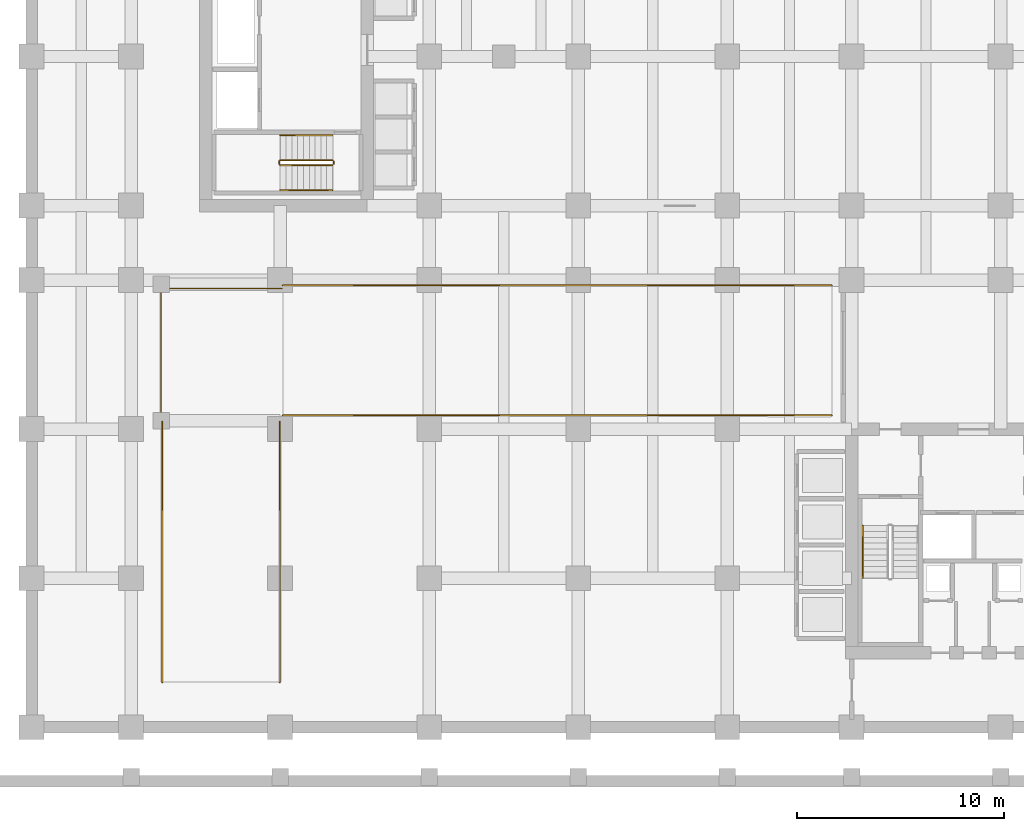
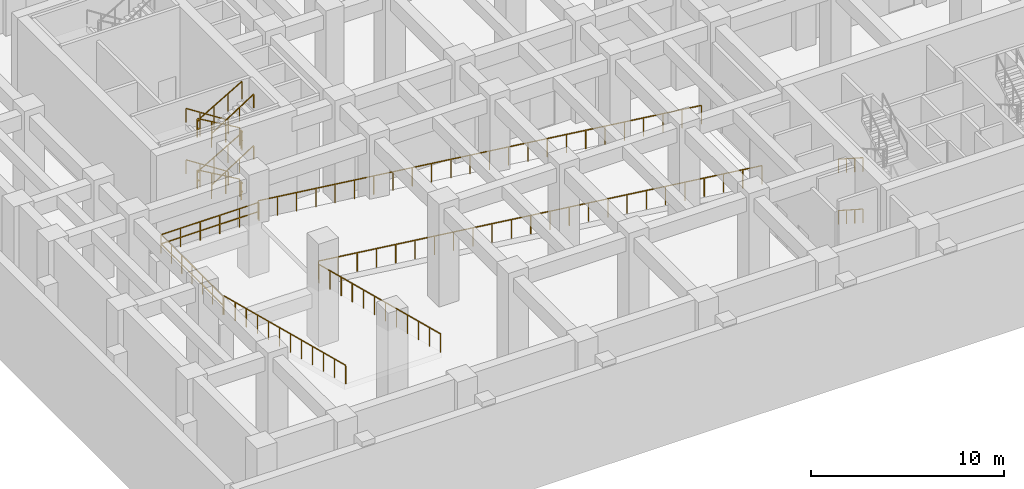
# One storey, part 10 of 13: 19 railings.
"""IFC4 building model written with IfcOpenShell, lengths in metres."""

from ifc_helpers import new_model, si_unit, derived_unit, direction, frame, origin, origin_2d, place, context, subcontext, project, spatial, rectangle, extrude, material, type_object, element, save


model = new_model("IFC4")

# Units and contexts
model_context = context("Model", 3, precision=1e-05, world=origin(), true_north=direction((0.0, 1.0)))
body_context = subcontext(model_context, "Body", "Model", "MODEL_VIEW")
ifc_project = project(units=[si_unit("LENGTHUNIT", "METRE"), si_unit("AREAUNIT", "SQUARE_METRE"), si_unit("VOLUMEUNIT", "CUBIC_METRE"), si_unit("PLANEANGLEUNIT", "RADIAN"), si_unit("MASSUNIT", "GRAM", prefix="KILO"), si_unit("THERMODYNAMICTEMPERATUREUNIT", "KELVIN"), si_unit("POWERUNIT", "WATT"), derived_unit("THERMALTRANSMITTANCEUNIT", [(si_unit("POWERUNIT", "WATT"), 1), (si_unit("AREAUNIT", "SQUARE_METRE"), -1), (si_unit("THERMODYNAMICTEMPERATUREUNIT", "KELVIN"), -1)])], contexts=[model_context])

# Site, building, storey
site_placement = place(None, origin())
site = spatial("IfcSite", under=ifc_project, at=site_placement, CompositionType="ELEMENT")
building_placement = place(site_placement, origin())
building = spatial("IfcBuilding", under=site, at=building_placement, Name="Zahravan Archway Hotel and Residences", CompositionType="ELEMENT")
storey_placement = place(building_placement, frame((0.0, 0.0, -6.5)))
storey = spatial("IfcBuildingStorey", under=building, at=storey_placement, Name="B01", CompositionType="ELEMENT", Elevation=-6.5)

# Railings
ifc_material_1 = material(Name="Painted Tubular Steel", Category="steel")
railing_type_1 = type_object("IfcRailingType", Name="RL-STG-1150", PredefinedType="GUARDRAIL", material=ifc_material_1)
railing_1_placement = place(storey_placement, frame((9.72998046875, 27.389892578125, 0.16259765625)))
element("IfcRailing", 1, at=railing_1_placement, inside=storey, type_object=railing_type_1, Name="B01 ST-B1 stair guard 1", PredefinedType="GUARDRAIL", context=body_context, shape_type="SweptSolid", body=[
    extrude(rectangle(XDim=0.048095703125, YDim=0.048095703125, at=origin_2d()), frame((0.0, 0.0, 1.1259765625), z_axis=(-0.864913338283, 0.0, 0.50192122615), x_axis=(0.0, -1.0, 0.0)), (0.0, 0.0, 1.0), 2.91357421875),
    extrude(rectangle(XDim=0.0419921875, YDim=0.0419921875, at=origin_2d()), origin(), (0.0, 0.0, 1.0), 1.101806640625),
    extrude(rectangle(XDim=0.0419921875, YDim=0.0419921875, at=origin_2d()), frame((-0.840087890625, 0.0, 0.487548828125)), (0.0, 0.0, 1.0), 1.101806640625),
    extrude(rectangle(XDim=0.0419921875, YDim=0.0419921875, at=origin_2d()), frame((-1.679931640625, 0.0, 0.974853515625)), (0.0, 0.0, 1.0), 1.101806640625),
    extrude(rectangle(XDim=0.0419921875, YDim=0.0419921875, at=origin_2d()), frame((-2.52001953125, 0.0, 1.46240234375)), (0.0, 0.0, 1.0), 1.101806640625),
])
railing_2_placement = place(storey_placement, frame((7.159912109375, 27.340087890625, 1.625)))
element("IfcRailing", 2, at=railing_2_placement, inside=storey, type_object=railing_type_1, Name="B01 ST-B1 stair guard 2", PredefinedType="GUARDRAIL", context=body_context, shape_type="SweptSolid", body=[
    extrude(rectangle(XDim=0.048095703125, YDim=0.048095703125, at=origin_2d()), frame((0.0, 0.0, 1.1259765625), z_axis=(0.0, -1.0, 0.0), x_axis=(1.0, 0.0, 0.0)), (0.0, 0.0, 1.0), 0.14013671875),
    extrude(rectangle(XDim=0.048095703125, YDim=0.048095703125, at=origin_2d()), frame((0.0, 0.0, 0.574951171875), z_axis=(0.0, -1.0, 0.0), x_axis=(1.0, 0.0, 0.0)), (0.0, 0.0, 1.0), 0.14013671875),
    extrude(rectangle(XDim=0.0419921875, YDim=0.0419921875, at=origin_2d()), origin(), (0.0, 0.0, 1.0), 1.101806640625),
])
railing_3_placement = place(storey_placement, frame((7.2099609375, 27.14990234375, 1.78759765625)))
element("IfcRailing", 3, at=railing_3_placement, inside=storey, type_object=railing_type_1, Name="B01 ST-B1 stair guard 3", PredefinedType="GUARDRAIL", context=body_context, shape_type="SweptSolid", body=[
    extrude(rectangle(XDim=0.048095703125, YDim=0.048095703125, at=origin_2d()), frame((0.0, 0.0, 1.1259765625), z_axis=(0.864913338283, 0.0, 0.50192122615), x_axis=(0.0, 1.0, 0.0)), (0.0, 0.0, 1.0), 2.91357421875),
    extrude(rectangle(XDim=0.0419921875, YDim=0.0419921875, at=origin_2d()), origin(), (0.0, 0.0, 1.0), 1.101806640625),
    extrude(rectangle(XDim=0.0419921875, YDim=0.0419921875, at=origin_2d()), frame((0.840087890625, 0.0, 0.487548828125)), (0.0, 0.0, 1.0), 1.101806640625),
    extrude(rectangle(XDim=0.0419921875, YDim=0.0419921875, at=origin_2d()), frame((1.679931640625, 0.0, 0.974853515625)), (0.0, 0.0, 1.0), 1.101806640625),
    extrude(rectangle(XDim=0.0419921875, YDim=0.0419921875, at=origin_2d()), frame((2.52001953125, 0.0, 1.46240234375)), (0.0, 0.0, 1.0), 1.101806640625),
])
railing_4_placement = place(storey_placement, frame((9.780029296875, 27.340087890625, 3.25)))
element("IfcRailing", 4, at=railing_4_placement, inside=storey, type_object=railing_type_1, Name="B01 ST-B1 stair guard 4", PredefinedType="GUARDRAIL", context=body_context, shape_type="SweptSolid", body=[
    extrude(rectangle(XDim=0.048095703125, YDim=0.048095703125, at=origin_2d()), frame((0.0, 0.0, 1.1259765625), z_axis=(0.0, -1.0, 0.0), x_axis=(1.0, 0.0, 0.0)), (0.0, 0.0, 1.0), 0.14013671875),
    extrude(rectangle(XDim=0.048095703125, YDim=0.048095703125, at=origin_2d()), frame((0.0, 0.0, 0.574951171875), z_axis=(0.0, -1.0, 0.0), x_axis=(1.0, 0.0, 0.0)), (0.0, 0.0, 1.0), 0.14013671875),
    extrude(rectangle(XDim=0.0419921875, YDim=0.0419921875, at=origin_2d()), origin(), (0.0, 0.0, 1.0), 1.101806640625),
])
railing_5_placement = place(storey_placement, frame((9.72998046875, 27.389892578125, 3.41259765625)))
element("IfcRailing", 5, at=railing_5_placement, inside=storey, type_object=railing_type_1, Name="B01 ST-B1 stair guard 5", PredefinedType="GUARDRAIL", context=body_context, shape_type="SweptSolid", body=[
    extrude(rectangle(XDim=0.048095703125, YDim=0.048095703125, at=origin_2d()), frame((0.0, 0.0, 1.1259765625), z_axis=(-0.864913338283, 0.0, 0.50192122615), x_axis=(0.0, -1.0, 0.0)), (0.0, 0.0, 1.0), 2.91357421875),
    extrude(rectangle(XDim=0.0419921875, YDim=0.0419921875, at=origin_2d()), origin(), (0.0, 0.0, 1.0), 1.101806640625),
    extrude(rectangle(XDim=0.0419921875, YDim=0.0419921875, at=origin_2d()), frame((-0.840087890625, 0.0, 0.487548828125)), (0.0, 0.0, 1.0), 1.101806640625),
    extrude(rectangle(XDim=0.0419921875, YDim=0.0419921875, at=origin_2d()), frame((-1.679931640625, 0.0, 0.974853515625)), (0.0, 0.0, 1.0), 1.101806640625),
    extrude(rectangle(XDim=0.0419921875, YDim=0.0419921875, at=origin_2d()), frame((-2.52001953125, 0.0, 1.46240234375)), (0.0, 0.0, 1.0), 1.101806640625),
])
railing_6_placement = place(storey_placement, frame((7.159912109375, 27.340087890625, 4.875)))
element("IfcRailing", 6, at=railing_6_placement, inside=storey, type_object=railing_type_1, Name="B01 ST-B1 stair guard 6", PredefinedType="GUARDRAIL", context=body_context, shape_type="SweptSolid", body=[
    extrude(rectangle(XDim=0.048095703125, YDim=0.048095703125, at=origin_2d()), frame((0.0, 0.0, 1.1259765625), z_axis=(0.0, -1.0, 0.0), x_axis=(1.0, 0.0, 0.0)), (0.0, 0.0, 1.0), 0.14013671875),
    extrude(rectangle(XDim=0.048095703125, YDim=0.048095703125, at=origin_2d()), frame((0.0, 0.0, 0.574951171875), z_axis=(0.0, -1.0, 0.0), x_axis=(1.0, 0.0, 0.0)), (0.0, 0.0, 1.0), 0.14013671875),
    extrude(rectangle(XDim=0.0419921875, YDim=0.0419921875, at=origin_2d()), origin(), (0.0, 0.0, 1.0), 1.101806640625),
])
railing_7_placement = place(storey_placement, frame((7.2099609375, 27.14990234375, 5.03759765625)))
element("IfcRailing", 7, at=railing_7_placement, inside=storey, type_object=railing_type_1, Name="B01 ST-B1 stair guard 7", PredefinedType="GUARDRAIL", context=body_context, shape_type="SweptSolid", body=[
    extrude(rectangle(XDim=0.048095703125, YDim=0.048095703125, at=origin_2d()), frame((0.0, 0.0, 1.1259765625), z_axis=(0.864913338283, 0.0, 0.50192122615), x_axis=(0.0, 1.0, 0.0)), (0.0, 0.0, 1.0), 2.91357421875),
    extrude(rectangle(XDim=0.0419921875, YDim=0.0419921875, at=origin_2d()), origin(), (0.0, 0.0, 1.0), 1.101806640625),
    extrude(rectangle(XDim=0.0419921875, YDim=0.0419921875, at=origin_2d()), frame((0.840087890625, 0.0, 0.487548828125)), (0.0, 0.0, 1.0), 1.101806640625),
    extrude(rectangle(XDim=0.0419921875, YDim=0.0419921875, at=origin_2d()), frame((1.679931640625, 0.0, 0.974853515625)), (0.0, 0.0, 1.0), 1.101806640625),
    extrude(rectangle(XDim=0.0419921875, YDim=0.0419921875, at=origin_2d()), frame((2.52001953125, 0.0, 1.46240234375)), (0.0, 0.0, 1.0), 1.101806640625),
])
railing_8_placement = place(storey_placement, frame((9.780029296875, 27.340087890625, 0.0)))
element("IfcRailing", 8, at=railing_8_placement, inside=storey, type_object=railing_type_1, Name="B01 ST-B1 stair guard 8", PredefinedType="GUARDRAIL", context=body_context, shape_type="SweptSolid", body=[
    extrude(rectangle(XDim=0.048095703125, YDim=0.048095703125, at=origin_2d()), frame((0.0, 0.0, 1.1259765625), z_axis=(0.0, -1.0, 0.0), x_axis=(1.0, 0.0, 0.0)), (0.0, 0.0, 1.0), 0.14013671875),
    extrude(rectangle(XDim=0.048095703125, YDim=0.048095703125, at=origin_2d()), frame((0.0, 0.0, 0.574951171875), z_axis=(0.0, -1.0, 0.0), x_axis=(1.0, 0.0, 0.0)), (0.0, 0.0, 1.0), 0.14013671875),
    extrude(rectangle(XDim=0.0419921875, YDim=0.0419921875, at=origin_2d()), origin(), (0.0, 0.0, 1.0), 1.101806640625),
])
ifc_material_2 = material(Name="Brushed Stainless Steel", Category="steel")
railing_type_2 = type_object("IfcRailingType", Name="RL-STH-900", PredefinedType="HANDRAIL", material=ifc_material_2)
for number, where, name in (
    (9, (35.35009765625, 9.72998046875, 0.16259765625), "B01 ST-A1 stair handrail 1"),
    (10, (35.35009765625, 9.72998046875, 3.41259765625), "B01 ST-A1 stair handrail 3"),
):
    element("IfcRailing", number, at=place(storey_placement, frame(where)), inside=storey, type_object=railing_type_2, Name=name, PredefinedType="HANDRAIL", context=body_context, shape_type="SweptSolid", body=[
        extrude(rectangle(XDim=0.048095703125, YDim=0.048095703125, at=origin_2d()), frame((0.0, 0.0, 0.8759765625), z_axis=(0.0, -0.840421059866, 0.541933983188), x_axis=(1.0, 0.0, 0.0)), (0.0, 0.0, 1.0), 2.99853515625),
        extrude(rectangle(XDim=0.0419921875, YDim=0.0419921875, at=origin_2d()), origin(), (0.0, 0.0, 1.0), 0.851806640625),
        extrude(rectangle(XDim=0.0419921875, YDim=0.0419921875, at=origin_2d()), frame((0.0, -0.840087890625, 0.541748046875)), (0.0, 0.0, 1.0), 0.851806640625),
        extrude(rectangle(XDim=0.0419921875, YDim=0.0419921875, at=origin_2d()), frame((0.0, -1.679931640625, 1.083251953125)), (0.0, 0.0, 1.0), 0.851806640625),
        extrude(rectangle(XDim=0.0419921875, YDim=0.0419921875, at=origin_2d()), frame((0.0, -2.52001953125, 1.625)), (0.0, 0.0, 1.0), 0.851806640625),
    ])
railing_9_placement = place(storey_placement, frame((9.72998046875, 28.590087890625, 0.16259765625)))
element("IfcRailing", 11, at=railing_9_placement, inside=storey, type_object=railing_type_2, Name="B01 ST-B1 stair handrail 1", PredefinedType="HANDRAIL", context=body_context, shape_type="SweptSolid", body=[
    extrude(rectangle(XDim=0.048095703125, YDim=0.048095703125, at=origin_2d()), frame((0.0, 0.0, 0.8759765625), z_axis=(-0.840421059866, 0.0, 0.541933983188), x_axis=(0.0, -1.0, 0.0)), (0.0, 0.0, 1.0), 2.99853515625),
    extrude(rectangle(XDim=0.0419921875, YDim=0.0419921875, at=origin_2d()), origin(), (0.0, 0.0, 1.0), 0.851806640625),
    extrude(rectangle(XDim=0.0419921875, YDim=0.0419921875, at=origin_2d()), frame((-0.840087890625, 0.0, 0.541748046875)), (0.0, 0.0, 1.0), 0.851806640625),
    extrude(rectangle(XDim=0.0419921875, YDim=0.0419921875, at=origin_2d()), frame((-1.679931640625, 0.0, 1.083251953125)), (0.0, 0.0, 1.0), 0.851806640625),
    extrude(rectangle(XDim=0.0419921875, YDim=0.0419921875, at=origin_2d()), frame((-2.52001953125, 0.0, 1.625)), (0.0, 0.0, 1.0), 0.851806640625),
])
railing_10_placement = place(storey_placement, frame((7.2099609375, 25.949951171875, 1.78759765625)))
element("IfcRailing", 12, at=railing_10_placement, inside=storey, type_object=railing_type_2, Name="B01 ST-B1 stair handrail 2", PredefinedType="HANDRAIL", context=body_context, shape_type="SweptSolid", body=[
    extrude(rectangle(XDim=0.048095703125, YDim=0.048095703125, at=origin_2d()), frame((0.0, 0.0, 0.8759765625), z_axis=(0.840421059866, 0.0, 0.541933983188), x_axis=(0.0, 1.0, 0.0)), (0.0, 0.0, 1.0), 2.99853515625),
    extrude(rectangle(XDim=0.0419921875, YDim=0.0419921875, at=origin_2d()), origin(), (0.0, 0.0, 1.0), 0.851806640625),
    extrude(rectangle(XDim=0.0419921875, YDim=0.0419921875, at=origin_2d()), frame((0.840087890625, 0.0, 0.541748046875)), (0.0, 0.0, 1.0), 0.851806640625),
    extrude(rectangle(XDim=0.0419921875, YDim=0.0419921875, at=origin_2d()), frame((1.679931640625, 0.0, 1.083251953125)), (0.0, 0.0, 1.0), 0.851806640625),
    extrude(rectangle(XDim=0.0419921875, YDim=0.0419921875, at=origin_2d()), frame((2.52001953125, 0.0, 1.625)), (0.0, 0.0, 1.0), 0.851806640625),
])
railing_11_placement = place(storey_placement, frame((9.72998046875, 28.590087890625, 3.41259765625)))
element("IfcRailing", 13, at=railing_11_placement, inside=storey, type_object=railing_type_2, Name="B01 ST-B1 stair handrail 3", PredefinedType="HANDRAIL", context=body_context, shape_type="SweptSolid", body=[
    extrude(rectangle(XDim=0.048095703125, YDim=0.048095703125, at=origin_2d()), frame((0.0, 0.0, 0.8759765625), z_axis=(-0.840421059866, 0.0, 0.541933983188), x_axis=(0.0, -1.0, 0.0)), (0.0, 0.0, 1.0), 2.99853515625),
    extrude(rectangle(XDim=0.0419921875, YDim=0.0419921875, at=origin_2d()), origin(), (0.0, 0.0, 1.0), 0.851806640625),
    extrude(rectangle(XDim=0.0419921875, YDim=0.0419921875, at=origin_2d()), frame((-0.840087890625, 0.0, 0.541748046875)), (0.0, 0.0, 1.0), 0.851806640625),
    extrude(rectangle(XDim=0.0419921875, YDim=0.0419921875, at=origin_2d()), frame((-1.679931640625, 0.0, 1.083251953125)), (0.0, 0.0, 1.0), 0.851806640625),
    extrude(rectangle(XDim=0.0419921875, YDim=0.0419921875, at=origin_2d()), frame((-2.52001953125, 0.0, 1.625)), (0.0, 0.0, 1.0), 0.851806640625),
])
railing_12_placement = place(storey_placement, frame((7.2099609375, 25.949951171875, 5.03759765625)))
element("IfcRailing", 14, at=railing_12_placement, inside=storey, type_object=railing_type_2, Name="B01 ST-B1 stair handrail 4", PredefinedType="HANDRAIL", context=body_context, shape_type="SweptSolid", body=[
    extrude(rectangle(XDim=0.048095703125, YDim=0.048095703125, at=origin_2d()), frame((0.0, 0.0, 0.8759765625), z_axis=(0.840421059866, 0.0, 0.541933983188), x_axis=(0.0, 1.0, 0.0)), (0.0, 0.0, 1.0), 2.99853515625),
    extrude(rectangle(XDim=0.0419921875, YDim=0.0419921875, at=origin_2d()), origin(), (0.0, 0.0, 1.0), 0.851806640625),
    extrude(rectangle(XDim=0.0419921875, YDim=0.0419921875, at=origin_2d()), frame((0.840087890625, 0.0, 0.541748046875)), (0.0, 0.0, 1.0), 0.851806640625),
    extrude(rectangle(XDim=0.0419921875, YDim=0.0419921875, at=origin_2d()), frame((1.679931640625, 0.0, 1.083251953125)), (0.0, 0.0, 1.0), 0.851806640625),
    extrude(rectangle(XDim=0.0419921875, YDim=0.0419921875, at=origin_2d()), frame((2.52001953125, 0.0, 1.625)), (0.0, 0.0, 1.0), 0.851806640625),
])
ifc_material_3 = material(Name="Architectural Bronze Terrace Guardrail")
railing_type_3 = type_object("IfcRailingType", Name="RL-TER-1200", PredefinedType="GUARDRAIL", material=ifc_material_3)
railing_13_placement = place(storey_placement, frame((33.85009765625, 15.06005859375, 0.0)))
element("IfcRailing", 15, at=railing_13_placement, inside=storey, type_object=railing_type_3, Name="B01 Vehicle Ramp Flight 1 South Guardrail", PredefinedType="GUARDRAIL", context=body_context, shape_type="SweptSolid", body=[
    extrude(rectangle(XDim=0.048095703125, YDim=0.048095703125, at=origin_2d()), frame((0.0, 0.0, 1.17578125), z_axis=(-0.992574415468, 0.0, 0.12163893192), x_axis=(0.0, -1.0, 0.0)), (0.0, 0.0, 1.0), 26.718505859375),
    extrude(rectangle(XDim=0.0419921875, YDim=0.0419921875, at=origin_2d()), origin(), (0.0, 0.0, 1.0), 1.15185546875),
    extrude(rectangle(XDim=0.0419921875, YDim=0.0419921875, at=origin_2d()), frame((-1.153076171875, 0.0, 0.141357421875)), (0.0, 0.0, 1.0), 1.15185546875),
    extrude(rectangle(XDim=0.0419921875, YDim=0.0419921875, at=origin_2d()), frame((-2.30615234375, 0.0, 0.28271484375)), (0.0, 0.0, 1.0), 1.15185546875),
    extrude(rectangle(XDim=0.0419921875, YDim=0.0419921875, at=origin_2d()), frame((-3.459228515625, 0.0, 0.423828125)), (0.0, 0.0, 1.0), 1.15185546875),
    extrude(rectangle(XDim=0.0419921875, YDim=0.0419921875, at=origin_2d()), frame((-4.612060546875, 0.0, 0.565185546875)), (0.0, 0.0, 1.0), 1.15185546875),
    extrude(rectangle(XDim=0.0419921875, YDim=0.0419921875, at=origin_2d()), frame((-5.76513671875, 0.0, 0.70654296875)), (0.0, 0.0, 1.0), 1.15185546875),
    extrude(rectangle(XDim=0.0419921875, YDim=0.0419921875, at=origin_2d()), frame((-6.918212890625, 0.0, 0.847900390625)), (0.0, 0.0, 1.0), 1.15185546875),
    extrude(rectangle(XDim=0.0419921875, YDim=0.0419921875, at=origin_2d()), frame((-8.0712890625, 0.0, 0.989013671875)), (0.0, 0.0, 1.0), 1.15185546875),
    extrude(rectangle(XDim=0.0419921875, YDim=0.0419921875, at=origin_2d()), frame((-9.224365234375, 0.0, 1.13037109375)), (0.0, 0.0, 1.0), 1.15185546875),
    extrude(rectangle(XDim=0.0419921875, YDim=0.0419921875, at=origin_2d()), frame((-10.37744140625, 0.0, 1.271728515625)), (0.0, 0.0, 1.0), 1.15185546875),
    extrude(rectangle(XDim=0.0419921875, YDim=0.0419921875, at=origin_2d()), frame((-11.530517578125, 0.0, 1.4130859375)), (0.0, 0.0, 1.0), 1.15185546875),
    extrude(rectangle(XDim=0.0419921875, YDim=0.0419921875, at=origin_2d()), frame((-12.68359375, 0.0, 1.554443359375)), (0.0, 0.0, 1.0), 1.15185546875),
    extrude(rectangle(XDim=0.0419921875, YDim=0.0419921875, at=origin_2d()), frame((-13.83642578125, 0.0, 1.695556640625)), (0.0, 0.0, 1.0), 1.15185546875),
    extrude(rectangle(XDim=0.0419921875, YDim=0.0419921875, at=origin_2d()), frame((-14.989501953125, 0.0, 1.8369140625)), (0.0, 0.0, 1.0), 1.15185546875),
    extrude(rectangle(XDim=0.0419921875, YDim=0.0419921875, at=origin_2d()), frame((-16.142578125, 0.0, 1.978271484375)), (0.0, 0.0, 1.0), 1.15185546875),
    extrude(rectangle(XDim=0.0419921875, YDim=0.0419921875, at=origin_2d()), frame((-17.295654296875, 0.0, 2.11962890625)), (0.0, 0.0, 1.0), 1.15185546875),
    extrude(rectangle(XDim=0.0419921875, YDim=0.0419921875, at=origin_2d()), frame((-18.44873046875, 0.0, 2.260986328125)), (0.0, 0.0, 1.0), 1.15185546875),
    extrude(rectangle(XDim=0.0419921875, YDim=0.0419921875, at=origin_2d()), frame((-19.601806640625, 0.0, 2.402099609375)), (0.0, 0.0, 1.0), 1.15185546875),
    extrude(rectangle(XDim=0.0419921875, YDim=0.0419921875, at=origin_2d()), frame((-20.7548828125, 0.0, 2.54345703125)), (0.0, 0.0, 1.0), 1.15185546875),
    extrude(rectangle(XDim=0.0419921875, YDim=0.0419921875, at=origin_2d()), frame((-21.907958984375, 0.0, 2.684814453125)), (0.0, 0.0, 1.0), 1.15185546875),
    extrude(rectangle(XDim=0.0419921875, YDim=0.0419921875, at=origin_2d()), frame((-23.060791015625, 0.0, 2.826171875)), (0.0, 0.0, 1.0), 1.15185546875),
    extrude(rectangle(XDim=0.0419921875, YDim=0.0419921875, at=origin_2d()), frame((-24.2138671875, 0.0, 2.96728515625)), (0.0, 0.0, 1.0), 1.15185546875),
    extrude(rectangle(XDim=0.0419921875, YDim=0.0419921875, at=origin_2d()), frame((-25.366943359375, 0.0, 3.108642578125)), (0.0, 0.0, 1.0), 1.15185546875),
    extrude(rectangle(XDim=0.0419921875, YDim=0.0419921875, at=origin_2d()), frame((-26.52001953125, 0.0, 3.25)), (0.0, 0.0, 1.0), 1.15185546875),
])
railing_14_placement = place(storey_placement, frame((33.85009765625, 21.340087890625, 0.0)))
element("IfcRailing", 16, at=railing_14_placement, inside=storey, type_object=railing_type_3, Name="B01 Vehicle Ramp Flight 1 North Guardrail", PredefinedType="GUARDRAIL", context=body_context, shape_type="SweptSolid", body=[
    extrude(rectangle(XDim=0.048095703125, YDim=0.048095703125, at=origin_2d()), frame((0.0, 0.0, 1.17578125), z_axis=(-0.992574415468, 0.0, 0.12163893192), x_axis=(0.0, -1.0, 0.0)), (0.0, 0.0, 1.0), 26.718505859375),
    extrude(rectangle(XDim=0.0419921875, YDim=0.0419921875, at=origin_2d()), origin(), (0.0, 0.0, 1.0), 1.15185546875),
    extrude(rectangle(XDim=0.0419921875, YDim=0.0419921875, at=origin_2d()), frame((-1.153076171875, 0.0, 0.141357421875)), (0.0, 0.0, 1.0), 1.15185546875),
    extrude(rectangle(XDim=0.0419921875, YDim=0.0419921875, at=origin_2d()), frame((-2.30615234375, 0.0, 0.28271484375)), (0.0, 0.0, 1.0), 1.15185546875),
    extrude(rectangle(XDim=0.0419921875, YDim=0.0419921875, at=origin_2d()), frame((-3.459228515625, 0.0, 0.423828125)), (0.0, 0.0, 1.0), 1.15185546875),
    extrude(rectangle(XDim=0.0419921875, YDim=0.0419921875, at=origin_2d()), frame((-4.612060546875, 0.0, 0.565185546875)), (0.0, 0.0, 1.0), 1.15185546875),
    extrude(rectangle(XDim=0.0419921875, YDim=0.0419921875, at=origin_2d()), frame((-5.76513671875, 0.0, 0.70654296875)), (0.0, 0.0, 1.0), 1.15185546875),
    extrude(rectangle(XDim=0.0419921875, YDim=0.0419921875, at=origin_2d()), frame((-6.918212890625, 0.0, 0.847900390625)), (0.0, 0.0, 1.0), 1.15185546875),
    extrude(rectangle(XDim=0.0419921875, YDim=0.0419921875, at=origin_2d()), frame((-8.0712890625, 0.0, 0.989013671875)), (0.0, 0.0, 1.0), 1.15185546875),
    extrude(rectangle(XDim=0.0419921875, YDim=0.0419921875, at=origin_2d()), frame((-9.224365234375, 0.0, 1.13037109375)), (0.0, 0.0, 1.0), 1.15185546875),
    extrude(rectangle(XDim=0.0419921875, YDim=0.0419921875, at=origin_2d()), frame((-10.37744140625, 0.0, 1.271728515625)), (0.0, 0.0, 1.0), 1.15185546875),
    extrude(rectangle(XDim=0.0419921875, YDim=0.0419921875, at=origin_2d()), frame((-11.530517578125, 0.0, 1.4130859375)), (0.0, 0.0, 1.0), 1.15185546875),
    extrude(rectangle(XDim=0.0419921875, YDim=0.0419921875, at=origin_2d()), frame((-12.68359375, 0.0, 1.554443359375)), (0.0, 0.0, 1.0), 1.15185546875),
    extrude(rectangle(XDim=0.0419921875, YDim=0.0419921875, at=origin_2d()), frame((-13.83642578125, 0.0, 1.695556640625)), (0.0, 0.0, 1.0), 1.15185546875),
    extrude(rectangle(XDim=0.0419921875, YDim=0.0419921875, at=origin_2d()), frame((-14.989501953125, 0.0, 1.8369140625)), (0.0, 0.0, 1.0), 1.15185546875),
    extrude(rectangle(XDim=0.0419921875, YDim=0.0419921875, at=origin_2d()), frame((-16.142578125, 0.0, 1.978271484375)), (0.0, 0.0, 1.0), 1.15185546875),
    extrude(rectangle(XDim=0.0419921875, YDim=0.0419921875, at=origin_2d()), frame((-17.295654296875, 0.0, 2.11962890625)), (0.0, 0.0, 1.0), 1.15185546875),
    extrude(rectangle(XDim=0.0419921875, YDim=0.0419921875, at=origin_2d()), frame((-18.44873046875, 0.0, 2.260986328125)), (0.0, 0.0, 1.0), 1.15185546875),
    extrude(rectangle(XDim=0.0419921875, YDim=0.0419921875, at=origin_2d()), frame((-19.601806640625, 0.0, 2.402099609375)), (0.0, 0.0, 1.0), 1.15185546875),
    extrude(rectangle(XDim=0.0419921875, YDim=0.0419921875, at=origin_2d()), frame((-20.7548828125, 0.0, 2.54345703125)), (0.0, 0.0, 1.0), 1.15185546875),
    extrude(rectangle(XDim=0.0419921875, YDim=0.0419921875, at=origin_2d()), frame((-21.907958984375, 0.0, 2.684814453125)), (0.0, 0.0, 1.0), 1.15185546875),
    extrude(rectangle(XDim=0.0419921875, YDim=0.0419921875, at=origin_2d()), frame((-23.060791015625, 0.0, 2.826171875)), (0.0, 0.0, 1.0), 1.15185546875),
    extrude(rectangle(XDim=0.0419921875, YDim=0.0419921875, at=origin_2d()), frame((-24.2138671875, 0.0, 2.96728515625)), (0.0, 0.0, 1.0), 1.15185546875),
    extrude(rectangle(XDim=0.0419921875, YDim=0.0419921875, at=origin_2d()), frame((-25.366943359375, 0.0, 3.108642578125)), (0.0, 0.0, 1.0), 1.15185546875),
    extrude(rectangle(XDim=0.0419921875, YDim=0.0419921875, at=origin_2d()), frame((-26.52001953125, 0.0, 3.25)), (0.0, 0.0, 1.0), 1.15185546875),
])
railing_15_placement = place(storey_placement, frame((7.300048828125, 21.199951171875, 3.25)))
element("IfcRailing", 17, at=railing_15_placement, inside=storey, type_object=railing_type_3, Name="B01 Vehicle Ramp Half-Landing Guardrail", PredefinedType="GUARDRAIL", context=body_context, shape_type="SweptSolid", body=[
    extrude(rectangle(XDim=0.048095703125, YDim=0.048095703125, at=origin_2d()), frame((0.0, 0.0, 1.17578125), z_axis=(-1.0, 0.0, 0.0), x_axis=(0.0, -1.0, 0.0)), (0.0, 0.0, 1.0), 5.85009765625),
    extrude(rectangle(XDim=0.048095703125, YDim=0.048095703125, at=origin_2d()), frame((0.0, 0.0, 0.60009765625), z_axis=(-1.0, 0.0, 0.0), x_axis=(0.0, -1.0, 0.0)), (0.0, 0.0, 1.0), 5.85009765625),
    extrude(rectangle(XDim=0.048095703125, YDim=0.048095703125, at=origin_2d()), frame((-5.85009765625, 0.0, 1.17578125), z_axis=(0.0, -1.0, 0.0), x_axis=(1.0, 0.0, 0.0)), (0.0, 0.0, 1.0), 6.39990234375),
    extrude(rectangle(XDim=0.048095703125, YDim=0.048095703125, at=origin_2d()), frame((-5.85009765625, 0.0, 0.60009765625), z_axis=(0.0, -1.0, 0.0), x_axis=(1.0, 0.0, 0.0)), (0.0, 0.0, 1.0), 6.39990234375),
    extrude(rectangle(XDim=0.0419921875, YDim=0.0419921875, at=origin_2d()), origin(), (0.0, 0.0, 1.0), 1.15185546875),
    extrude(rectangle(XDim=0.0419921875, YDim=0.0419921875, at=origin_2d()), frame((-1.169921875, 0.0, 0.0)), (0.0, 0.0, 1.0), 1.15185546875),
    extrude(rectangle(XDim=0.0419921875, YDim=0.0419921875, at=origin_2d()), frame((-2.340087890625, 0.0, 0.0)), (0.0, 0.0, 1.0), 1.15185546875),
    extrude(rectangle(XDim=0.0419921875, YDim=0.0419921875, at=origin_2d()), frame((-3.510009765625, 0.0, 0.0)), (0.0, 0.0, 1.0), 1.15185546875),
    extrude(rectangle(XDim=0.0419921875, YDim=0.0419921875, at=origin_2d()), frame((-4.68017578125, 0.0, 0.0)), (0.0, 0.0, 1.0), 1.15185546875),
    extrude(rectangle(XDim=0.0419921875, YDim=0.0419921875, at=origin_2d()), frame((-5.85009765625, 0.0, 0.0)), (0.0, 0.0, 1.0), 1.15185546875),
    extrude(rectangle(XDim=0.0419921875, YDim=0.0419921875, at=origin_2d()), frame((-5.85009765625, -1.066650390625, 0.0)), (0.0, 0.0, 1.0), 1.15185546875),
    extrude(rectangle(XDim=0.0419921875, YDim=0.0419921875, at=origin_2d()), frame((-5.85009765625, -2.13330078125, 0.0)), (0.0, 0.0, 1.0), 1.15185546875),
    extrude(rectangle(XDim=0.0419921875, YDim=0.0419921875, at=origin_2d()), frame((-5.85009765625, -3.199951171875, 0.0)), (0.0, 0.0, 1.0), 1.15185546875),
    extrude(rectangle(XDim=0.0419921875, YDim=0.0419921875, at=origin_2d()), frame((-5.85009765625, -4.2666015625, 0.0)), (0.0, 0.0, 1.0), 1.15185546875),
    extrude(rectangle(XDim=0.0419921875, YDim=0.0419921875, at=origin_2d()), frame((-5.85009765625, -5.333251953125, 0.0)), (0.0, 0.0, 1.0), 1.15185546875),
    extrude(rectangle(XDim=0.0419921875, YDim=0.0419921875, at=origin_2d()), frame((-5.85009765625, -6.39990234375, 0.0)), (0.0, 0.0, 1.0), 1.15185546875),
])
railing_16_placement = place(storey_placement, frame((1.510009765625, 14.77001953125, 3.25)))
element("IfcRailing", 18, at=railing_16_placement, inside=storey, type_object=railing_type_3, Name="B01 Vehicle Ramp Flight 2 West Guardrail", PredefinedType="GUARDRAIL", context=body_context, shape_type="SweptSolid", body=[
    extrude(rectangle(XDim=0.048095703125, YDim=0.048095703125, at=origin_2d()), frame((0.0, 0.0, 1.17578125), z_axis=(0.0, -0.968259735981, 0.249946161558), x_axis=(1.0, 0.0, 0.0)), (0.0, 0.0, 1.0), 13.002685546875),
    extrude(rectangle(XDim=0.0419921875, YDim=0.0419921875, at=origin_2d()), origin(), (0.0, 0.0, 1.0), 1.15185546875),
    extrude(rectangle(XDim=0.0419921875, YDim=0.0419921875, at=origin_2d()), frame((0.0, -1.14453125, 0.29541015625)), (0.0, 0.0, 1.0), 1.15185546875),
    extrude(rectangle(XDim=0.0419921875, YDim=0.0419921875, at=origin_2d()), frame((0.0, -2.2890625, 0.5908203125)), (0.0, 0.0, 1.0), 1.15185546875),
    extrude(rectangle(XDim=0.0419921875, YDim=0.0419921875, at=origin_2d()), frame((0.0, -3.43359375, 0.886474609375)), (0.0, 0.0, 1.0), 1.15185546875),
    extrude(rectangle(XDim=0.0419921875, YDim=0.0419921875, at=origin_2d()), frame((0.0, -4.578125, 1.181884765625)), (0.0, 0.0, 1.0), 1.15185546875),
    extrude(rectangle(XDim=0.0419921875, YDim=0.0419921875, at=origin_2d()), frame((0.0, -5.72265625, 1.477294921875)), (0.0, 0.0, 1.0), 1.15185546875),
    extrude(rectangle(XDim=0.0419921875, YDim=0.0419921875, at=origin_2d()), frame((0.0, -6.867431640625, 1.772705078125)), (0.0, 0.0, 1.0), 1.15185546875),
    extrude(rectangle(XDim=0.0419921875, YDim=0.0419921875, at=origin_2d()), frame((0.0, -8.011962890625, 2.068115234375)), (0.0, 0.0, 1.0), 1.15185546875),
    extrude(rectangle(XDim=0.0419921875, YDim=0.0419921875, at=origin_2d()), frame((0.0, -9.156494140625, 2.363525390625)), (0.0, 0.0, 1.0), 1.15185546875),
    extrude(rectangle(XDim=0.0419921875, YDim=0.0419921875, at=origin_2d()), frame((0.0, -10.301025390625, 2.6591796875)), (0.0, 0.0, 1.0), 1.15185546875),
    extrude(rectangle(XDim=0.0419921875, YDim=0.0419921875, at=origin_2d()), frame((0.0, -11.445556640625, 2.95458984375)), (0.0, 0.0, 1.0), 1.15185546875),
    extrude(rectangle(XDim=0.0419921875, YDim=0.0419921875, at=origin_2d()), frame((0.0, -12.590087890625, 3.25)), (0.0, 0.0, 1.0), 1.15185546875),
])
railing_17_placement = place(storey_placement, frame((7.18994140625, 14.77001953125, 3.25)))
element("IfcRailing", 19, at=railing_17_placement, inside=storey, type_object=railing_type_3, Name="B01 Vehicle Ramp Flight 2 East Guardrail", PredefinedType="GUARDRAIL", context=body_context, shape_type="SweptSolid", body=[
    extrude(rectangle(XDim=0.048095703125, YDim=0.048095703125, at=origin_2d()), frame((0.0, 0.0, 1.17578125), z_axis=(0.0, -0.968259735981, 0.249946161558), x_axis=(1.0, 0.0, 0.0)), (0.0, 0.0, 1.0), 13.002685546875),
    extrude(rectangle(XDim=0.0419921875, YDim=0.0419921875, at=origin_2d()), origin(), (0.0, 0.0, 1.0), 1.15185546875),
    extrude(rectangle(XDim=0.0419921875, YDim=0.0419921875, at=origin_2d()), frame((0.0, -1.14453125, 0.29541015625)), (0.0, 0.0, 1.0), 1.15185546875),
    extrude(rectangle(XDim=0.0419921875, YDim=0.0419921875, at=origin_2d()), frame((0.0, -2.2890625, 0.5908203125)), (0.0, 0.0, 1.0), 1.15185546875),
    extrude(rectangle(XDim=0.0419921875, YDim=0.0419921875, at=origin_2d()), frame((0.0, -3.43359375, 0.886474609375)), (0.0, 0.0, 1.0), 1.15185546875),
    extrude(rectangle(XDim=0.0419921875, YDim=0.0419921875, at=origin_2d()), frame((0.0, -4.578125, 1.181884765625)), (0.0, 0.0, 1.0), 1.15185546875),
    extrude(rectangle(XDim=0.0419921875, YDim=0.0419921875, at=origin_2d()), frame((0.0, -5.72265625, 1.477294921875)), (0.0, 0.0, 1.0), 1.15185546875),
    extrude(rectangle(XDim=0.0419921875, YDim=0.0419921875, at=origin_2d()), frame((0.0, -6.867431640625, 1.772705078125)), (0.0, 0.0, 1.0), 1.15185546875),
    extrude(rectangle(XDim=0.0419921875, YDim=0.0419921875, at=origin_2d()), frame((0.0, -8.011962890625, 2.068115234375)), (0.0, 0.0, 1.0), 1.15185546875),
    extrude(rectangle(XDim=0.0419921875, YDim=0.0419921875, at=origin_2d()), frame((0.0, -9.156494140625, 2.363525390625)), (0.0, 0.0, 1.0), 1.15185546875),
    extrude(rectangle(XDim=0.0419921875, YDim=0.0419921875, at=origin_2d()), frame((0.0, -10.301025390625, 2.6591796875)), (0.0, 0.0, 1.0), 1.15185546875),
    extrude(rectangle(XDim=0.0419921875, YDim=0.0419921875, at=origin_2d()), frame((0.0, -11.445556640625, 2.95458984375)), (0.0, 0.0, 1.0), 1.15185546875),
    extrude(rectangle(XDim=0.0419921875, YDim=0.0419921875, at=origin_2d()), frame((0.0, -12.590087890625, 3.25)), (0.0, 0.0, 1.0), 1.15185546875),
])

save(model, "model.ifc")
